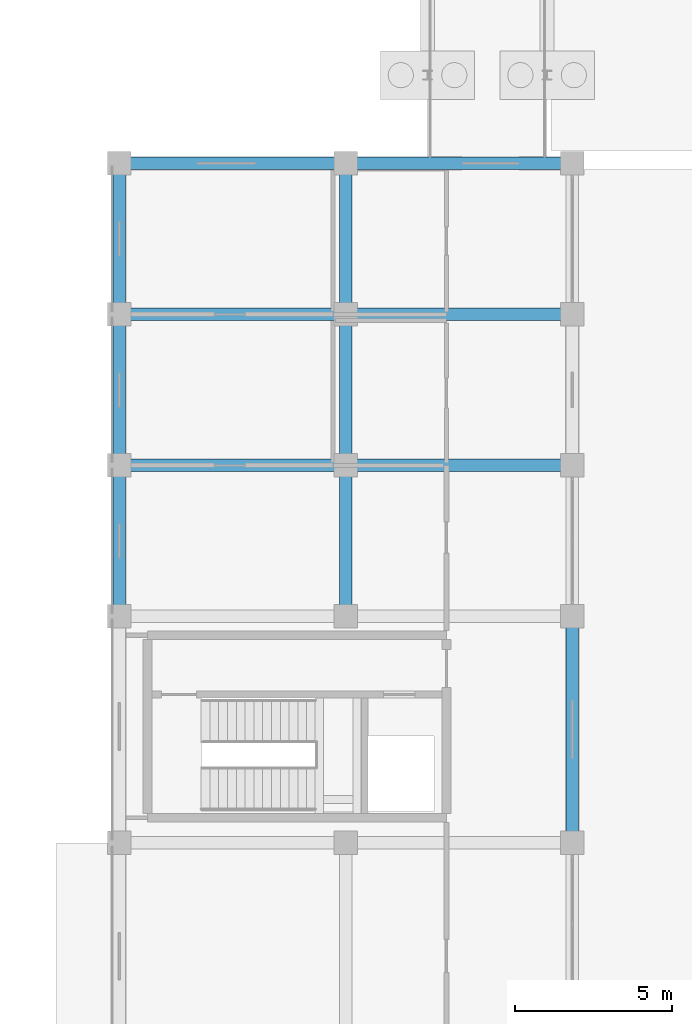
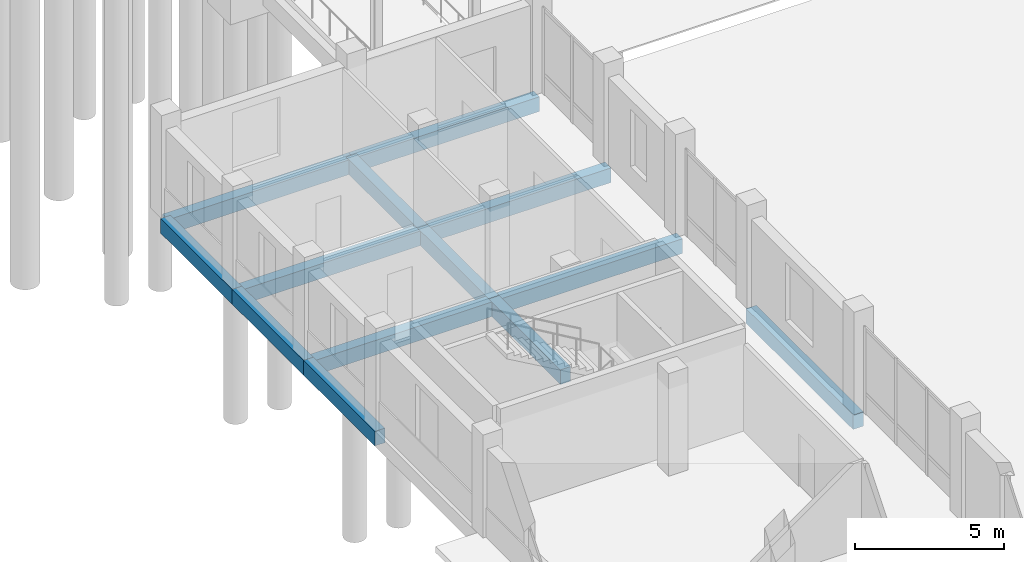
# One storey, part 25 of 98: 13 beams.
"""IFC4 building model written with IfcOpenShell, lengths in metres."""

from ifc_helpers import new_model, si_unit, direction, frame, origin, origin_2d, place, context, subcontext, project, spatial, rectangle, extrude, material, material_profile, profile_set, type_object, element, save


model = new_model("IFC4")

# Units and contexts
model_context = context("Model", 3, precision=1e-05, world=origin(), true_north=direction((0.0, 1.0)))
body_context = subcontext(model_context, "Body", "Model", "MODEL_VIEW")
ifc_project = project(units=[si_unit("LENGTHUNIT", "METRE"), si_unit("AREAUNIT", "SQUARE_METRE"), si_unit("VOLUMEUNIT", "CUBIC_METRE"), si_unit("PLANEANGLEUNIT", "RADIAN"), si_unit("MASSUNIT", "GRAM", prefix="KILO")], contexts=[model_context])

# Site, building, storey
site_placement = place(None, origin())
site = spatial("IfcSite", under=ifc_project, at=site_placement, CompositionType="ELEMENT")
building_placement = place(site_placement, origin())
building = spatial("IfcBuilding", under=site, at=building_placement, Name="Zornivar Specialist Clinic", CompositionType="ELEMENT")
storey_placement = place(building_placement, origin())
storey = spatial("IfcBuildingStorey", under=building, at=storey_placement, Name="L00", CompositionType="ELEMENT", Elevation=0.0)

# Beams
ifc_material_1 = material(Name="Concrete C30/37", Category="concrete")
ifc_material_profile_1 = material_profile(ifc_material_1, rectangle(XDim=0.39990234375, YDim=0.60009765625, at=origin_2d()), Name="RC 400x600")
ifc_profile_set_1 = profile_set([ifc_material_profile_1], Name="Concrete C30/37")
beam_type_1 = type_object("IfcBeamType", Name="BM-RC-400x600", PredefinedType="BEAM", material=ifc_profile_set_1)
for number, where, z_axis, x_axis, name in (
    (1, (0.0, 48.0, -0.580078125), (1.0, 0.0, 0.0), (0.0, 1.0, 0.0), "bm:V2:L00:x:480:0"),
    (2, (7.199951171875, 48.0, -0.580078125), (1.0, 0.0, 0.0), (0.0, 1.0, 0.0), "bm:V2:L00:x:480:1"),
    (3, (0.0, 52.800048828125, -0.580078125), (1.0, 0.0, 0.0), (0.0, 1.0, 0.0), "bm:V2:L00:x:528:0"),
    (4, (7.199951171875, 52.800048828125, -0.580078125), (1.0, 0.0, 0.0), (0.0, 1.0, 0.0), "bm:V2:L00:x:528:1"),
):
    element("IfcBeam", number, at=place(storey_placement, frame(where, z_axis=z_axis, x_axis=x_axis)), inside=storey, type_object=beam_type_1, Name=name, PredefinedType="BEAM", context=body_context, shape_type="SweptSolid", body=[
        extrude(rectangle(XDim=0.39990234375, YDim=0.60009765625, at=origin_2d()), origin(), (0.0, 0.0, 1.0), 7.199951171875),
    ])
for number, where, z_axis, x_axis, name in (
    (5, (7.199951171875, 43.199951171875, -0.580078125), (0.0, 1.0, 0.0), (-1.0, 0.0, 0.0), "bm:V2:L00:y:72:6"),
    (6, (7.199951171875, 48.0, -0.580078125), (0.0, 1.0, 0.0), (-1.0, 0.0, 0.0), "bm:V2:L00:y:72:7"),
    (7, (7.199951171875, 52.800048828125, -0.580078125), (0.0, 1.0, 0.0), (-1.0, 0.0, 0.0), "bm:V2:L00:y:72:8"),
):
    element("IfcBeam", number, at=place(storey_placement, frame(where, z_axis=z_axis, x_axis=x_axis)), inside=storey, type_object=beam_type_1, Name=name, PredefinedType="BEAM", context=body_context, shape_type="SweptSolid", body=[
        extrude(rectangle(XDim=0.39990234375, YDim=0.60009765625, at=origin_2d()), origin(), (0.0, 0.0, 1.0), 4.800048828125),
    ])
beam_placement = place(storey_placement, frame((14.39990234375, 36.0, -0.580078125), z_axis=(0.0, 1.0, 0.0), x_axis=(-1.0, 0.0, 0.0)))
element("IfcBeam", 8, at=beam_placement, inside=storey, type_object=beam_type_1, Name="bm:V2:L00:y:144:5", PredefinedType="BEAM", context=body_context, shape_type="SweptSolid", body=[
    extrude(rectangle(XDim=0.39990234375, YDim=0.60009765625, at=origin_2d()), origin(), (0.0, 0.0, 1.0), 7.199951171875),
])
ifc_material_2 = material(Name="Concrete C30/37", Category="concrete")
ifc_material_profile_2 = material_profile(ifc_material_2, rectangle(XDim=0.389892578125, YDim=0.60009765625, at=origin_2d()), Name="RC 390x600")
ifc_profile_set_2 = profile_set([ifc_material_profile_2], Name="Concrete C30/37")
beam_type_2 = type_object("IfcBeamType", Name="BM-RC-SPANDREL-390x600", PredefinedType="SPANDREL", material=ifc_profile_set_2)
for number, where, z_axis, x_axis, name in (
    (9, (0.0, 57.60009765625, -0.580078125), (1.0, 0.0, 0.0), (0.0, 1.0, 0.0), "bm:V2:L00:x:576:0"),
    (10, (7.199951171875, 57.60009765625, -0.580078125), (1.0, 0.0, 0.0), (0.0, 1.0, 0.0), "bm:V2:L00:x:576:1"),
):
    element("IfcBeam", number, at=place(storey_placement, frame(where, z_axis=z_axis, x_axis=x_axis)), inside=storey, type_object=beam_type_2, Name=name, PredefinedType="SPANDREL", context=body_context, shape_type="SweptSolid", body=[
        extrude(rectangle(XDim=0.389892578125, YDim=0.60009765625, at=origin_2d()), origin(), (0.0, 0.0, 1.0), 7.199951171875),
    ])
for number, where, z_axis, x_axis, name in (
    (11, (0.0, 43.199951171875, -0.580078125), (0.0, 1.0, 0.0), (-1.0, 0.0, 0.0), "bm:V2:L00:y:0:6"),
    (12, (0.0, 48.0, -0.580078125), (0.0, 1.0, 0.0), (-1.0, 0.0, 0.0), "bm:V2:L00:y:0:7"),
    (13, (0.0, 52.800048828125, -0.580078125), (0.0, 1.0, 0.0), (-1.0, 0.0, 0.0), "bm:V2:L00:y:0:8"),
):
    element("IfcBeam", number, at=place(storey_placement, frame(where, z_axis=z_axis, x_axis=x_axis)), inside=storey, type_object=beam_type_2, Name=name, PredefinedType="SPANDREL", context=body_context, shape_type="SweptSolid", body=[
        extrude(rectangle(XDim=0.389892578125, YDim=0.60009765625, at=origin_2d()), origin(), (0.0, 0.0, 1.0), 4.800048828125),
    ])

save(model, "model.ifc")
